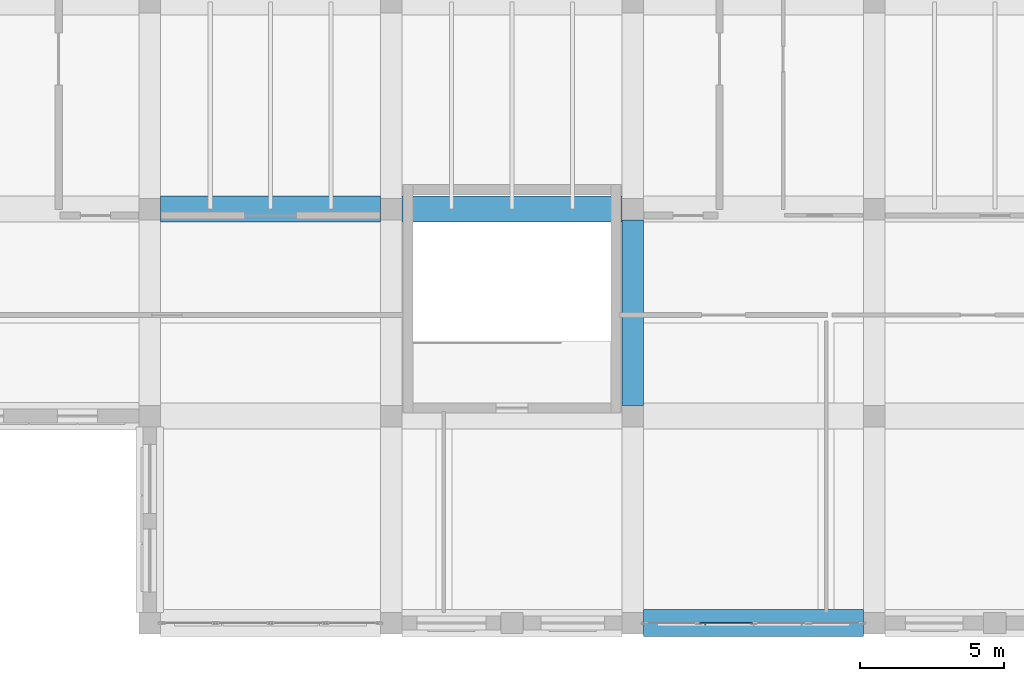
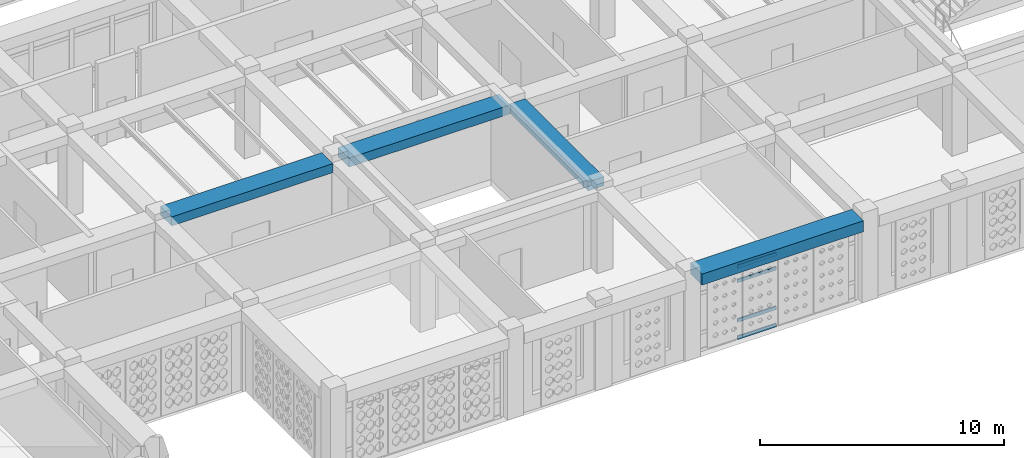
# One storey, part 23 of 111: 4 beams, 4 members, 1 element without a shape of its own.
"""IFC4 building model written with IfcOpenShell, lengths in metres."""

from ifc_helpers import new_model, si_unit, derived_unit, direction, frame, origin, origin_2d, place, context, subcontext, project, spatial, rectangle, hollow_rectangle, extrude, material, material_profile, profile_set, type_object, element, aggregate, save


model = new_model("IFC4")

# Units and contexts
model_context = context("Model", 3, precision=1e-05, world=origin(), true_north=direction((0.0, 1.0)))
body_context = subcontext(model_context, "Body", "Model", "MODEL_VIEW")
ifc_project = project(units=[si_unit("LENGTHUNIT", "METRE"), si_unit("AREAUNIT", "SQUARE_METRE"), si_unit("VOLUMEUNIT", "CUBIC_METRE"), si_unit("PLANEANGLEUNIT", "RADIAN"), si_unit("MASSUNIT", "GRAM", prefix="KILO"), derived_unit("THERMALTRANSMITTANCEUNIT", [(si_unit("POWERUNIT", "WATT"), 1), (si_unit("LENGTHUNIT", "METRE"), -2), (si_unit("THERMODYNAMICTEMPERATUREUNIT", "KELVIN"), -1)])], contexts=[model_context])

# Site, building, storey
site_placement = place(None, origin())
site = spatial("IfcSite", under=ifc_project, at=site_placement, CompositionType="ELEMENT")
building_placement = place(site_placement, origin())
building = spatial("IfcBuilding", under=site, at=building_placement, Name="Veybourne Emporium", CompositionType="ELEMENT")
storey_placement = place(building_placement, frame((0.0, 0.0, 9.89990234375)))
storey = spatial("IfcBuildingStorey", under=building, at=storey_placement, Name="L02", CompositionType="ELEMENT", Elevation=9.89990234375)

# Curtain wall, members
ifc_material_1 = material(Name="Patinated Architectural Bronze", Category="bronze")
curtain_wall_type = type_object("IfcCurtainWallType", Name="CWSystem_CWS-25", PredefinedType="NOTDEFINED", material=ifc_material_1)
curtain_wall_placement = place(storey_placement, origin())
curtain_wall = element("IfcCurtainWall", 1, at=curtain_wall_placement, inside=storey, type_object=curtain_wall_type, Name="L02 bronze glazed curtain wall CWS-25 (063)", PredefinedType="NOTDEFINED")
ifc_material_profile_1 = material_profile(ifc_material_1, hollow_rectangle(XDim=0.072021484375, YDim=0.175048828125, WallThickness=0.0048828125, InnerFilletRadius=0.007568359375, OuterFilletRadius=0.012451171875, at=origin_2d()), Name="CWT 72x175x5")
ifc_profile_set_1 = profile_set([ifc_material_profile_1], Name="Patinated Architectural Bronze")
member_type = type_object("IfcMemberType", Name="CWTransom_CW-T1", PredefinedType="NOTDEFINED", material=ifc_profile_set_1)
member_1_placement = place(storey_placement, frame((113.364013671875, 0.0, 0.0361328125), z_axis=(-1.0, 0.0, 0.0), x_axis=(0.0, -1.0, 0.0)))
member_1 = element("IfcMember", 2, at=member_1_placement, type_object=member_type, Name="CWS-25 transom 3.1", ObjectType="TRANSOM", PredefinedType="USERDEFINED", context=body_context, shape_type="SweptSolid", body=[
    extrude(hollow_rectangle(XDim=0.072021484375, YDim=0.175048828125, WallThickness=0.0048828125, InnerFilletRadius=0.007568359375, OuterFilletRadius=0.012451171875, at=origin_2d()), origin(), (0.0, 0.0, 1.0), 1.840576171875),
])
member_2_placement = place(storey_placement, frame((113.364013671875, 0.0, 0.900146484375), z_axis=(-1.0, 0.0, 0.0), x_axis=(0.0, -1.0, 0.0)))
member_2 = element("IfcMember", 3, at=member_2_placement, type_object=member_type, Name="CWS-25 transom 3.2", ObjectType="TRANSOM", PredefinedType="USERDEFINED", context=body_context, shape_type="SweptSolid", body=[
    extrude(hollow_rectangle(XDim=0.072021484375, YDim=0.175048828125, WallThickness=0.0048828125, InnerFilletRadius=0.007568359375, OuterFilletRadius=0.012451171875, at=origin_2d()), origin(), (0.0, 0.0, 1.0), 1.840576171875),
])
member_3_placement = place(storey_placement, frame((113.364013671875, 0.0, 2.880126953125), z_axis=(-1.0, 0.0, 0.0), x_axis=(0.0, -1.0, 0.0)))
member_3 = element("IfcMember", 4, at=member_3_placement, type_object=member_type, Name="CWS-25 transom 3.3", ObjectType="TRANSOM", PredefinedType="USERDEFINED", context=body_context, shape_type="SweptSolid", body=[
    extrude(hollow_rectangle(XDim=0.072021484375, YDim=0.175048828125, WallThickness=0.0048828125, InnerFilletRadius=0.007568359375, OuterFilletRadius=0.012451171875, at=origin_2d()), origin(), (0.0, 0.0, 1.0), 1.840576171875),
])
member_4_placement = place(storey_placement, frame((113.364013671875, 0.0, 3.593994140625), z_axis=(-1.0, 0.0, 0.0), x_axis=(0.0, -1.0, 0.0)))
member_4 = element("IfcMember", 5, at=member_4_placement, type_object=member_type, Name="CWS-25 transom 3.4", ObjectType="TRANSOM", PredefinedType="USERDEFINED", context=body_context, shape_type="SweptSolid", body=[
    extrude(hollow_rectangle(XDim=0.072021484375, YDim=0.175048828125, WallThickness=0.0048828125, InnerFilletRadius=0.007568359375, OuterFilletRadius=0.012451171875, at=origin_2d()), origin(), (0.0, 0.0, 1.0), 1.840576171875),
])
aggregate(curtain_wall, [member_1, member_2, member_3, member_4])

# Beams
ifc_material_2 = material(Name="Concrete C32/40", Category="concrete")
ifc_material_profile_2 = material_profile(ifc_material_2, rectangle(XDim=0.89990234375, YDim=0.449951171875, at=origin_2d()), Name="RC 900x450")
ifc_profile_set_2 = profile_set([ifc_material_profile_2], Name="Concrete C32/40")
beam_type_1 = type_object("IfcBeamType", Name="RCBeam_BB-03", PredefinedType="BEAM", material=ifc_profile_set_2)
beam_1_placement = place(storey_placement, frame((92.77490234375, 14.39990234375, 3.955078125), z_axis=(1.0, 0.0, 0.0), x_axis=(0.0, 1.0, 0.0)))
element("IfcBeam", 6, at=beam_1_placement, inside=storey, type_object=beam_type_1, Name="L02 X-grid beam BB-03 (11,2)", PredefinedType="BEAM", context=body_context, shape_type="SweptSolid", body=[
    extrude(rectangle(XDim=0.89990234375, YDim=0.449951171875, at=origin_2d()), origin(), (0.0, 0.0, 1.0), 7.650146484375),
])
beam_2_placement = place(storey_placement, frame((101.175048828125, 14.39990234375, 3.955078125), z_axis=(1.0, 0.0, 0.0), x_axis=(0.0, 1.0, 0.0)))
element("IfcBeam", 7, at=beam_2_placement, inside=storey, type_object=beam_type_1, Name="L02 X-grid beam BB-03 (12,2)", PredefinedType="BEAM", context=body_context, shape_type="SweptSolid", body=[
    extrude(rectangle(XDim=0.89990234375, YDim=0.449951171875, at=origin_2d()), origin(), (0.0, 0.0, 1.0), 7.64990234375),
])
ifc_material_profile_3 = material_profile(ifc_material_2, rectangle(XDim=0.75, YDim=0.449951171875, at=origin_2d()), Name="RC 750x450")
ifc_profile_set_3 = profile_set([ifc_material_profile_3], Name="Concrete C32/40")
beam_type_2 = type_object("IfcBeamType", Name="RCBeam_BB-04", PredefinedType="BEAM", material=ifc_profile_set_3)
beam_3_placement = place(storey_placement, frame((109.199951171875, 7.574951171875, 3.955078125), z_axis=(0.0, 1.0, 0.0), x_axis=(-1.0, 0.0, 0.0)))
element("IfcBeam", 8, at=beam_3_placement, inside=storey, type_object=beam_type_2, Name="L02 Y-grid beam BB-04 (13,1)", PredefinedType="BEAM", context=body_context, shape_type="SweptSolid", body=[
    extrude(rectangle(XDim=0.75, YDim=0.449951171875, at=origin_2d()), origin(), (0.0, 0.0, 1.0), 6.449951171875),
])
ifc_material_profile_4 = material_profile(ifc_material_2, rectangle(XDim=0.949951171875, YDim=0.550048828125, at=origin_2d()), Name="RC 950x550")
ifc_profile_set_4 = profile_set([ifc_material_profile_4], Name="Concrete C32/40")
beam_type_3 = type_object("IfcBeamType", Name="RCBeam_EB-01", PredefinedType="SPANDREL", material=ifc_profile_set_4)
beam_4_placement = place(storey_placement, frame((109.574951171875, 0.0, 3.905029296875), z_axis=(1.0, 0.0, 0.0), x_axis=(0.0, 1.0, 0.0)))
element("IfcBeam", 9, at=beam_4_placement, inside=storey, type_object=beam_type_3, Name="L02 X-grid beam EB-01 (13,0)", PredefinedType="SPANDREL", context=body_context, shape_type="SweptSolid", body=[
    extrude(rectangle(XDim=0.949951171875, YDim=0.550048828125, at=origin_2d()), origin(), (0.0, 0.0, 1.0), 7.650146484375),
])

save(model, "model.ifc")
